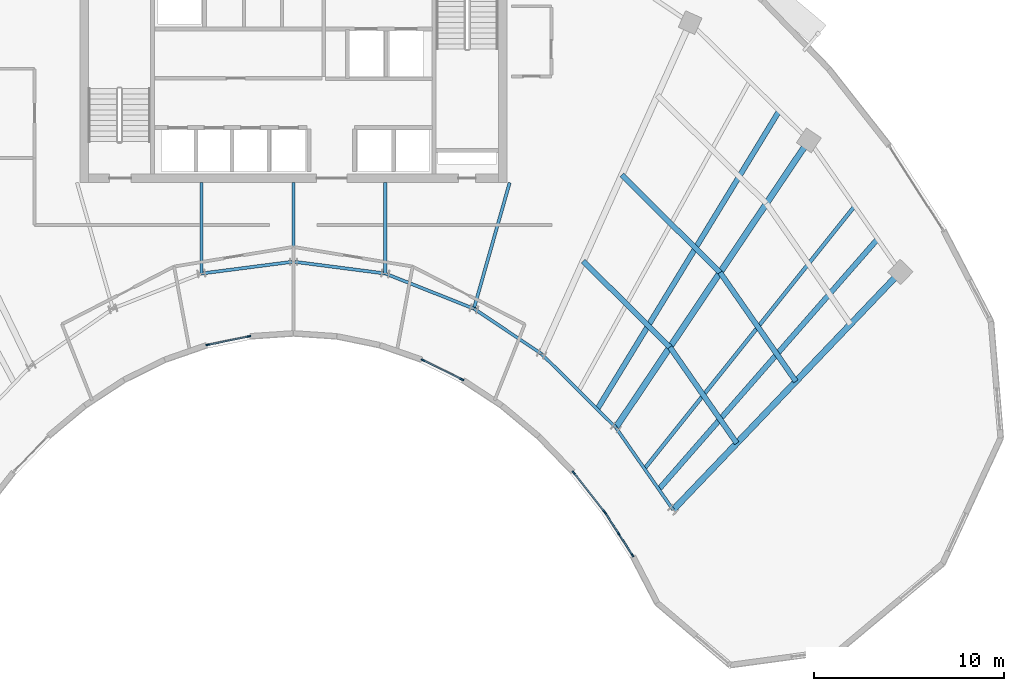
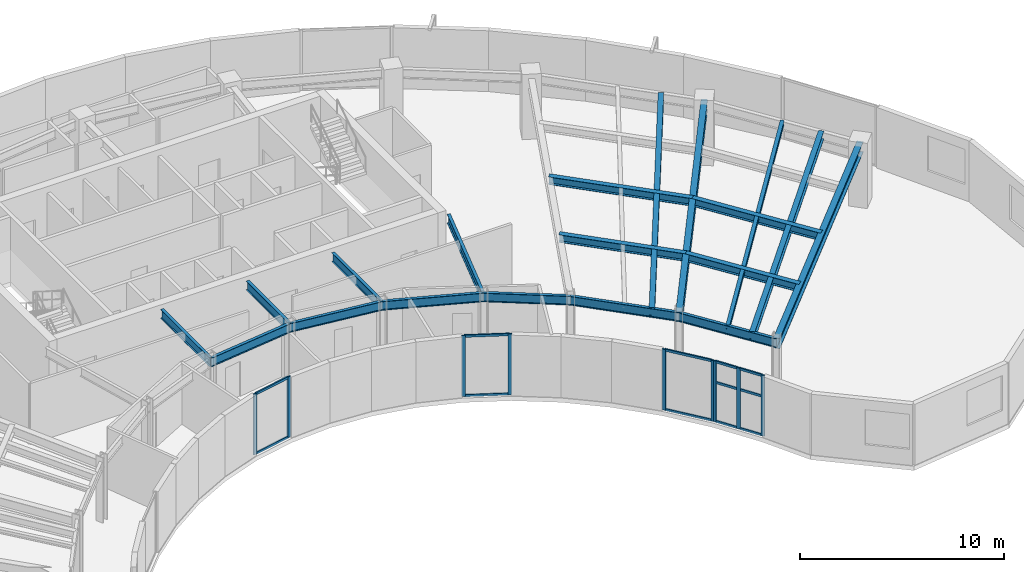
# One storey, part 3 of 14: 21 members, 19 beams, 4 elements without a shape of their own.
"""IFC4 building model written with IfcOpenShell, lengths in metres."""

from ifc_helpers import new_model, si_unit, direction, frame, origin, origin_2d, place, context, subcontext, project, spatial, rectangle, i_section, extrude, source, transform, mapped, material, layer, layer_set, material_profile, profile_set, type_object, type_shapes, element, aggregate, save


model = new_model("IFC4")

# Units and contexts
model_context = context("Model", 3, precision=1e-05, world=origin(), true_north=direction((0.0, 1.0)))
body_context = subcontext(model_context, "Body", "Model", "MODEL_VIEW")
ifc_project = project(units=[si_unit("LENGTHUNIT", "METRE"), si_unit("AREAUNIT", "SQUARE_METRE"), si_unit("VOLUMEUNIT", "CUBIC_METRE"), si_unit("PLANEANGLEUNIT", "RADIAN"), si_unit("MASSUNIT", "GRAM", prefix="KILO")], contexts=[model_context])

# Site, building, storey
site_placement = place(None, origin())
site = spatial("IfcSite", under=ifc_project, at=site_placement, CompositionType="ELEMENT")
building_placement = place(site_placement, origin())
building = spatial("IfcBuilding", under=site, at=building_placement, Name="Breltana Convention Tower", CompositionType="ELEMENT")
storey_placement = place(building_placement, frame((0.0, 0.0, 207.89990234375)))
storey = spatial("IfcBuildingStorey", under=building, at=storey_placement, Name="L50", CompositionType="ELEMENT", Elevation=207.89990234375)

# Beams
ifc_material_1 = material(Name="Steel ASTM A992 Grade 50", Category="steel")
ifc_material_profile_1 = material_profile(ifc_material_1, i_section(OverallWidth=0.280029296875, OverallDepth=0.462890625, WebThickness=0.0107421875, FlangeThickness=0.017333984375, at=origin_2d()), Name="W18X76")
ifc_profile_set_1 = profile_set([ifc_material_profile_1], Name="Steel ASTM A992 Grade 50")
beam_type_1 = type_object("IfcBeamType", Name="BM-JSG-06", PredefinedType="JOIST", material=ifc_profile_set_1)
shared_shape_1 = source(origin(), body_context, "Body", "SweptSolid", [
    extrude(i_section(OverallWidth=0.280029296875, OverallDepth=0.462890625, WebThickness=0.0107421875, FlangeThickness=0.017333984375, at=origin_2d()), origin(), (0.0, 0.0, 1.0), 6.435302734375),
])
beam_1_placement = place(storey_placement, frame((63.27392578125, 56.06298828125, 3.40869140625), z_axis=(0.710116389828, -0.704084308089, 0.0), x_axis=(0.704084308089, 0.710116389828, 0.0)))
element("IfcBeam", 1, at=beam_1_placement, inside=storey, type_object=beam_type_1, Name="L50 Composite Floor Joist 09.1", PredefinedType="JOIST", context=body_context, shape_type="MappedRepresentation", body=[
    mapped(shared_shape_1, transform((0.0, 0.0, 0.0), scale=1.0)),
])
shared_shape_2 = source(origin(), body_context, "Body", "SweptSolid", [
    extrude(i_section(OverallWidth=0.280029296875, OverallDepth=0.462890625, WebThickness=0.0107421875, FlangeThickness=0.017333984375, at=origin_2d()), origin(), (0.0, 0.0, 1.0), 7.29296875),
])
beam_2_placement = place(storey_placement, frame((65.309326171875, 60.602294921875, 3.40869140625), z_axis=(0.710096551013, -0.704104316305, 0.0), x_axis=(0.704104316305, 0.710096551013, 0.0)))
element("IfcBeam", 2, at=beam_2_placement, inside=storey, type_object=beam_type_1, Name="L50 Composite Floor Joist 09.2", PredefinedType="JOIST", context=body_context, shape_type="MappedRepresentation", body=[
    mapped(shared_shape_2, transform((0.0, 0.0, 0.0), scale=1.0)),
])
shared_shape_3 = source(origin(), body_context, "Body", "SweptSolid", [
    extrude(i_section(OverallWidth=0.280029296875, OverallDepth=0.462890625, WebThickness=0.0107421875, FlangeThickness=0.017333984375, at=origin_2d()), origin(), (0.0, 0.0, 1.0), 18.409423828125),
])
beam_3_placement = place(storey_placement, frame((64.017333984375, 48.263916015625, 3.40869140625), z_axis=(0.520682167606, 0.853750596098, 0.0), x_axis=(-0.853750596098, 0.520682167606, 0.0)))
element("IfcBeam", 3, at=beam_3_placement, inside=storey, type_object=beam_type_1, Name="L50 Quarter-Bay Radial Trimmer 09", PredefinedType="JOIST", context=body_context, shape_type="MappedRepresentation", body=[
    mapped(shared_shape_3, transform((0.0, 0.0, 0.0), scale=1.0)),
])
shared_shape_4 = source(origin(), body_context, "Body", "SweptSolid", [
    extrude(i_section(OverallWidth=0.280029296875, OverallDepth=0.462890625, WebThickness=0.0107421875, FlangeThickness=0.017333984375, at=origin_2d()), origin(), (0.0, 0.0, 1.0), 6.172119140625),
])
beam_4_placement = place(storey_placement, frame((67.84375, 51.531982421875, 3.40869140625), z_axis=(0.571211663392, -0.820802799462, 0.0), x_axis=(0.820802799462, 0.571211663392, 0.0)))
element("IfcBeam", 4, at=beam_4_placement, inside=storey, type_object=beam_type_1, Name="L50 Composite Floor Joist 10.1", PredefinedType="JOIST", context=body_context, shape_type="MappedRepresentation", body=[
    mapped(shared_shape_4, transform((0.0, 0.0, 0.0), scale=1.0)),
])
shared_shape_5 = source(origin(), body_context, "Body", "SweptSolid", [
    extrude(i_section(OverallWidth=0.280029296875, OverallDepth=0.462890625, WebThickness=0.0107421875, FlangeThickness=0.017333984375, at=origin_2d()), origin(), (0.0, 0.0, 1.0), 6.99462890625),
])
beam_5_placement = place(storey_placement, frame((70.488037109375, 55.46728515625, 3.40869140625), z_axis=(0.571206630732, -0.820806301759, 0.0), x_axis=(0.820806301759, 0.571206630732, 0.0)))
element("IfcBeam", 5, at=beam_5_placement, inside=storey, type_object=beam_type_1, Name="L50 Composite Floor Joist 10.2", PredefinedType="JOIST", context=body_context, shape_type="MappedRepresentation", body=[
    mapped(shared_shape_5, transform((0.0, 0.0, 0.0), scale=1.0)),
])
ifc_material_profile_2 = material_profile(ifc_material_1, i_section(OverallWidth=0.201904296875, OverallDepth=0.2470703125, WebThickness=0.00732421875, FlangeThickness=0.010986328125, at=origin_2d()), Name="W10X33")
ifc_profile_set_2 = profile_set([ifc_material_profile_2], Name="Steel ASTM A992 Grade 50")
beam_type_2 = type_object("IfcBeamType", Name="BM-JSG-11", PredefinedType="JOIST", material=ifc_profile_set_2)
shared_shape_6 = source(origin(), body_context, "Body", "SweptSolid", [
    extrude(i_section(OverallWidth=0.201904296875, OverallDepth=0.2470703125, WebThickness=0.00732421875, FlangeThickness=0.010986328125, at=origin_2d()), origin(), (0.0, 0.0, 1.0), 17.7236328125),
])
beam_6_placement = place(storey_placement, frame((66.505615234375, 45.124267578125, 3.5166015625), z_axis=(0.624829427563, 0.78076128647, 0.0), x_axis=(-0.78076128647, 0.624829427563, 0.0)))
element("IfcBeam", 6, at=beam_6_placement, inside=storey, type_object=beam_type_2, Name="L50 Mid-Bay Radial Trimmer 10", PredefinedType="JOIST", context=body_context, shape_type="MappedRepresentation", body=[
    mapped(shared_shape_6, transform((0.0, 0.0, 0.0), scale=1.0)),
])
shared_shape_7 = source(origin(), body_context, "Body", "SweptSolid", [
    extrude(i_section(OverallWidth=0.280029296875, OverallDepth=0.462890625, WebThickness=0.0107421875, FlangeThickness=0.017333984375, at=origin_2d()), origin(), (0.0, 0.0, 1.0), 17.515625),
])
beam_7_placement = place(storey_placement, frame((67.260498046875, 44.03955078125, 3.40869140625), z_axis=(0.658051548324, 0.752972881151, 0.0), x_axis=(-0.752972881151, 0.658051548324, 0.0)))
element("IfcBeam", 7, at=beam_7_placement, inside=storey, type_object=beam_type_1, Name="L50 Quarter-Bay Radial Trimmer 10", PredefinedType="JOIST", context=body_context, shape_type="MappedRepresentation", body=[
    mapped(shared_shape_7, transform((0.0, 0.0, 0.0), scale=1.0)),
])
ifc_material_profile_3 = material_profile(ifc_material_1, i_section(OverallWidth=0.166015625, OverallDepth=0.534912109375, WebThickness=0.01025390625, FlangeThickness=0.0166015625, at=origin_2d()), Name="W21X57")
ifc_profile_set_3 = profile_set([ifc_material_profile_3], Name="Steel ASTM A992 Grade 50")
beam_type_3 = type_object("IfcBeamType", Name="BM-BM-W21X57", PredefinedType="BEAM", material=ifc_profile_set_3)
shared_shape_8 = source(origin(), body_context, "Body", "SweptSolid", [
    extrude(i_section(OverallWidth=0.166015625, OverallDepth=0.534912109375, WebThickness=0.01025390625, FlangeThickness=0.0166015625, at=origin_2d()), origin(), (0.0, 0.0, 1.0), 6.904541015625),
])
type_shapes(beam_type_3, [shared_shape_8])
beam_8_placement = place(storey_placement, frame((59.39990234375, 60.199951171875, 3.37255859375), z_axis=(-0.273006781054, -0.962012108811, 0.0), x_axis=(0.962012108811, -0.273006781054, 0.0)))
element("IfcBeam", 8, at=beam_8_placement, inside=storey, type_object=beam_type_3, Name="L50 South Core Tie Girder R08", PredefinedType="BEAM", context=body_context, shape_type="MappedRepresentation", body=[
    mapped(shared_shape_8, transform((0.0, 0.0, 0.0), scale=1.0)),
])
shared_shape_9 = source(origin(), body_context, "Body", "SweptSolid", [
    extrude(i_section(OverallWidth=0.166015625, OverallDepth=0.534912109375, WebThickness=0.01025390625, FlangeThickness=0.0166015625, at=origin_2d()), origin(), (0.0, 0.0, 1.0), 4.789306640625),
])
for number, where, z_axis, x_axis, name in (
    (9, (43.153564453125, 60.199951171875, 3.37255859375), (0.0, -1.0, 0.0), (1.0, 0.0, 0.0), "L50 South Core Tie Girder R05"),
    (10, (52.846435546875, 60.199951171875, 3.37255859375), (0.0, -1.0, 0.0), (1.0, 0.0, 0.0), "L50 South Core Tie Girder R07"),
):
    element("IfcBeam", number, at=place(storey_placement, frame(where, z_axis=z_axis, x_axis=x_axis)), inside=storey, type_object=beam_type_3, Name=name, PredefinedType="BEAM", context=body_context, shape_type="MappedRepresentation", body=[
        mapped(shared_shape_9, transform((0.0, 0.0, 0.0), scale=1.0)),
    ])
shared_shape_10 = source(origin(), body_context, "Body", "SweptSolid", [
    extrude(i_section(OverallWidth=0.166015625, OverallDepth=0.534912109375, WebThickness=0.01025390625, FlangeThickness=0.0166015625, at=origin_2d()), origin(), (0.0, 0.0, 1.0), 4.1640625),
])
beam_9_placement = place(storey_placement, frame((48.0, 60.199951171875, 3.37255859375), z_axis=(0.0, -1.0, 0.0), x_axis=(1.0, 0.0, 0.0)))
element("IfcBeam", 11, at=beam_9_placement, inside=storey, type_object=beam_type_3, Name="L50 South Core Tie Girder R06", PredefinedType="BEAM", context=body_context, shape_type="MappedRepresentation", body=[
    mapped(shared_shape_10, transform((0.0, 0.0, 0.0), scale=1.0)),
])
shared_shape_11 = source(origin(), body_context, "Body", "SweptSolid", [
    extrude(i_section(OverallWidth=0.166015625, OverallDepth=0.534912109375, WebThickness=0.01025390625, FlangeThickness=0.0166015625, at=origin_2d()), origin(), (0.0, 0.0, 1.0), 5.022705078125),
])
beam_10_placement = place(storey_placement, frame((52.846435546875, 55.41064453125, 3.37255859375), z_axis=(0.929458966248, -0.368925507469, 0.0), x_axis=(0.368925507469, 0.929458966248, 0.0)))
element("IfcBeam", 12, at=beam_10_placement, inside=storey, type_object=beam_type_3, Name="L50 Inner Ring Beam 07", PredefinedType="BEAM", context=body_context, shape_type="MappedRepresentation", body=[
    mapped(shared_shape_11, transform((0.0, 0.0, 0.0), scale=1.0)),
])
shared_shape_12 = source(origin(), body_context, "Body", "SweptSolid", [
    extrude(i_section(OverallWidth=0.166015625, OverallDepth=0.534912109375, WebThickness=0.01025390625, FlangeThickness=0.0166015625, at=origin_2d()), origin(), (0.0, 0.0, 1.0), 4.88671875),
])
for number, where, z_axis, x_axis, name in (
    (13, (43.153564453125, 55.41064453125, 3.37255859375), (0.991780525565, 0.127950729231, 0.0), (-0.127950729231, 0.991780525565, 0.0), "L50 Inner Ring Beam 05"),
    (14, (48.0, 56.035888671875, 3.37255859375), (0.991780525565, -0.127950729231, 0.0), (0.127950729231, 0.991780525565, 0.0), "L50 Inner Ring Beam 06"),
):
    element("IfcBeam", number, at=place(storey_placement, frame(where, z_axis=z_axis, x_axis=x_axis)), inside=storey, type_object=beam_type_3, Name=name, PredefinedType="BEAM", context=body_context, shape_type="MappedRepresentation", body=[
        mapped(shared_shape_12, transform((0.0, 0.0, 0.0), scale=1.0)),
    ])
shared_shape_13 = source(origin(), body_context, "Body", "SweptSolid", [
    extrude(i_section(OverallWidth=0.166015625, OverallDepth=0.534912109375, WebThickness=0.01025390625, FlangeThickness=0.0166015625, at=origin_2d()), origin(), (0.0, 0.0, 1.0), 4.2900390625),
])
beam_11_placement = place(storey_placement, frame((57.514892578125, 53.5576171875, 3.37255859375), z_axis=(0.831515827753, -0.555501060482, 0.0), x_axis=(0.555501060482, 0.831515827753, 0.0)))
element("IfcBeam", 15, at=beam_11_placement, inside=storey, type_object=beam_type_3, Name="L50 Inner Ring Beam 08", PredefinedType="BEAM", context=body_context, shape_type="MappedRepresentation", body=[
    mapped(shared_shape_13, transform((0.0, 0.0, 0.0), scale=1.0)),
])
shared_shape_14 = source(origin(), body_context, "Body", "SweptSolid", [
    extrude(i_section(OverallWidth=0.166015625, OverallDepth=0.534912109375, WebThickness=0.01025390625, FlangeThickness=0.0166015625, at=origin_2d()), origin(), (0.0, 0.0, 1.0), 5.51171875),
])
beam_12_placement = place(storey_placement, frame((61.08203125, 51.174560546875, 3.37255859375), z_axis=(0.710090360749, -0.704110559196, 0.0), x_axis=(0.704110559196, 0.710090360749, 0.0)))
element("IfcBeam", 16, at=beam_12_placement, inside=storey, type_object=beam_type_3, Name="L50 Inner Ring Beam 09", PredefinedType="BEAM", context=body_context, shape_type="MappedRepresentation", body=[
    mapped(shared_shape_14, transform((0.0, 0.0, 0.0), scale=1.0)),
])
shared_shape_15 = source(origin(), body_context, "Body", "SweptSolid", [
    extrude(i_section(OverallWidth=0.166015625, OverallDepth=0.534912109375, WebThickness=0.01025390625, FlangeThickness=0.0166015625, at=origin_2d()), origin(), (0.0, 0.0, 1.0), 5.286376953125),
])
beam_13_placement = place(storey_placement, frame((64.995849609375, 47.293701171875, 3.37255859375), z_axis=(0.571194382458, -0.82081482531, 0.0), x_axis=(0.82081482531, 0.571194382458, 0.0)))
element("IfcBeam", 17, at=beam_13_placement, inside=storey, type_object=beam_type_3, Name="L50 Inner Ring Beam 10", PredefinedType="BEAM", context=body_context, shape_type="MappedRepresentation", body=[
    mapped(shared_shape_15, transform((0.0, 0.0, 0.0), scale=1.0)),
])
ifc_material_profile_4 = material_profile(ifc_material_1, i_section(OverallWidth=0.326904296875, OverallDepth=0.6220703125, WebThickness=0.015380859375, FlangeThickness=0.0244140625, at=origin_2d()), Name="W24X131")
ifc_profile_set_4 = profile_set([ifc_material_profile_4], Name="Steel ASTM A992 Grade 50")
beam_type_4 = type_object("IfcBeamType", Name="BM-RG-W24X131", PredefinedType="USERDEFINED", material=ifc_profile_set_4)
shared_shape_16 = source(origin(), body_context, "Body", "SweptSolid", [
    extrude(i_section(OverallWidth=0.326904296875, OverallDepth=0.6220703125, WebThickness=0.015380859375, FlangeThickness=0.0244140625, at=origin_2d()), origin(), (0.0, 0.0, 1.0), 17.341064453125),
])
type_shapes(beam_type_4, [shared_shape_16])
beam_14_placement = place(storey_placement, frame((68.015380859375, 42.95458984375, 3.3291015625), z_axis=(0.690716462293, 0.723125693581, 0.0), x_axis=(-0.723125693581, 0.690716462293, 0.0)))
element("IfcBeam", 18, at=beam_14_placement, inside=storey, type_object=beam_type_4, Name="L50 Radial Floor Girder R11", ObjectType="GIRDER", PredefinedType="USERDEFINED", context=body_context, shape_type="MappedRepresentation", body=[
    mapped(shared_shape_16, transform((0.0, 0.0, 0.0), scale=1.0)),
])
shared_shape_17 = source(origin(), body_context, "Body", "SweptSolid", [
    extrude(i_section(OverallWidth=0.326904296875, OverallDepth=0.6220703125, WebThickness=0.015380859375, FlangeThickness=0.0244140625, at=origin_2d()), origin(), (0.0, 0.0, 1.0), 18.236328125),
])
beam_15_placement = place(storey_placement, frame((64.995849609375, 47.293701171875, 3.3291015625), z_axis=(0.557730360975, 0.830022195153, 0.0), x_axis=(-0.830022195153, 0.557730360975, 0.0)))
element("IfcBeam", 19, at=beam_15_placement, inside=storey, type_object=beam_type_4, Name="L50 Radial Floor Girder R10", ObjectType="GIRDER", PredefinedType="USERDEFINED", context=body_context, shape_type="MappedRepresentation", body=[
    mapped(shared_shape_17, transform((0.0, 0.0, 0.0), scale=1.0)),
])

# Curtain wall, members
ifc_material_2 = material(Name="Aluminium Anodised Bronze Frame", Category="aluminium")
ifc_layer = layer(ifc_material_2, 0.18994140625, Name="Aluminium Anodised Bronze Frame")
ifc_layer_set = layer_set([ifc_layer], Name="Aluminium Anodised Bronze Frame")
curtain_wall_type = type_object("IfcCurtainWallType", Name="CW-SYS-1", PredefinedType="NOTDEFINED", material=ifc_layer_set)
curtain_wall_1_placement = place(storey_placement, origin())
curtain_wall_1 = element("IfcCurtainWall", 20, at=curtain_wall_1_placement, inside=storey, type_object=curtain_wall_type, Name="L50 inner south-court glazing 1", PredefinedType="NOTDEFINED")
ifc_material_3 = material(Name="Aluminium Anodised Bronze", Category="aluminium")
ifc_material_profile_5 = material_profile(ifc_material_3, rectangle(XDim=0.080078125, YDim=0.139892578125, at=origin_2d()), Name="CWT-80X140")
ifc_profile_set_5 = profile_set([ifc_material_profile_5], Name="Aluminium Anodised Bronze")
member_type_1 = type_object("IfcMemberType", Name="CWT-140", PredefinedType="USERDEFINED", material=ifc_profile_set_5)
shared_shape_18 = source(origin(), body_context, "Body", "SweptSolid", [
    extrude(rectangle(XDim=0.080078125, YDim=0.139892578125, at=origin_2d()), origin(), (0.0, 0.0, 1.0), 1.251220703125),
])
member_1_placement = place(storey_placement, frame((65.84716796875, 40.6025390625, 0.0400390625), z_axis=(-0.540116397582, 0.841590326146, 0.0), x_axis=(-0.841590326146, -0.540116397582, 0.0)))
member_1 = element("IfcMember", 21, at=member_1_placement, type_object=member_type_1, Name="CW-01 transom 1.1", ObjectType="TRANSOM", PredefinedType="USERDEFINED", context=body_context, shape_type="MappedRepresentation", body=[
    mapped(shared_shape_18, transform((0.0, 0.0, 0.0), scale=1.0)),
])
member_2_placement = place(storey_placement, frame((65.84716796875, 40.6025390625, 2.3662109375), z_axis=(-0.540116397582, 0.841590326146, 0.0), x_axis=(-0.841590326146, -0.540116397582, 0.0)))
member_2 = element("IfcMember", 22, at=member_2_placement, type_object=member_type_1, Name="CW-01 transom 1.2", ObjectType="TRANSOM", PredefinedType="USERDEFINED", context=body_context, shape_type="MappedRepresentation", body=[
    mapped(shared_shape_18, transform((0.0, 0.0, 0.0), scale=1.0)),
])
member_3_placement = place(storey_placement, frame((65.84716796875, 40.6025390625, 3.60009765625), z_axis=(-0.540116397582, 0.841590326146, 0.0), x_axis=(-0.841590326146, -0.540116397582, 0.0)))
member_3 = element("IfcMember", 23, at=member_3_placement, type_object=member_type_1, Name="CW-01 transom 1.3", ObjectType="TRANSOM", PredefinedType="USERDEFINED", context=body_context, shape_type="MappedRepresentation", body=[
    mapped(shared_shape_18, transform((0.0, 0.0, 0.0), scale=1.0)),
])
shared_shape_19 = source(origin(), body_context, "Body", "SweptSolid", [
    extrude(rectangle(XDim=0.080078125, YDim=0.139892578125, at=origin_2d()), origin(), (0.0, 0.0, 1.0), 1.2509765625),
])
member_4_placement = place(storey_placement, frame((65.128173828125, 41.722900390625, 0.0400390625), z_axis=(-0.54020510624, 0.841533388044, 0.0), x_axis=(-0.841533388044, -0.54020510624, 0.0)))
member_4 = element("IfcMember", 24, at=member_4_placement, type_object=member_type_1, Name="CW-01 transom 2.1", ObjectType="TRANSOM", PredefinedType="USERDEFINED", context=body_context, shape_type="MappedRepresentation", body=[
    mapped(shared_shape_19, transform((0.0, 0.0, 0.0), scale=1.0)),
])
member_5_placement = place(storey_placement, frame((65.128173828125, 41.722900390625, 2.3662109375), z_axis=(-0.54020510624, 0.841533388044, 0.0), x_axis=(-0.841533388044, -0.54020510624, 0.0)))
member_5 = element("IfcMember", 25, at=member_5_placement, type_object=member_type_1, Name="CW-01 transom 2.2", ObjectType="TRANSOM", PredefinedType="USERDEFINED", context=body_context, shape_type="MappedRepresentation", body=[
    mapped(shared_shape_19, transform((0.0, 0.0, 0.0), scale=1.0)),
])
member_6_placement = place(storey_placement, frame((65.128173828125, 41.722900390625, 3.60009765625), z_axis=(-0.54020510624, 0.841533388044, 0.0), x_axis=(-0.841533388044, -0.54020510624, 0.0)))
member_6 = element("IfcMember", 26, at=member_6_placement, type_object=member_type_1, Name="CW-01 transom 2.3", ObjectType="TRANSOM", PredefinedType="USERDEFINED", context=body_context, shape_type="MappedRepresentation", body=[
    mapped(shared_shape_19, transform((0.0, 0.0, 0.0), scale=1.0)),
])

curtain_wall_2_placement = place(storey_placement, origin())
curtain_wall_2 = element("IfcCurtainWall", 27, at=curtain_wall_2_placement, inside=storey, type_object=curtain_wall_type, Name="L50 inner south-court glazing 2", PredefinedType="NOTDEFINED")
shared_shape_20 = source(origin(), body_context, "Body", "SweptSolid", [
    extrude(rectangle(XDim=0.080078125, YDim=0.139892578125, at=origin_2d()), origin(), (0.0, 0.0, 1.0), 2.505859375),
])
member_7_placement = place(storey_placement, frame((64.349853515625, 42.919921875, 0.0400390625), z_axis=(-0.618174316854, 0.786041038357, 0.0), x_axis=(-0.786041038357, -0.618174316854, 0.0)))
member_7 = element("IfcMember", 28, at=member_7_placement, type_object=member_type_1, Name="CW-01 transom 1.1", ObjectType="TRANSOM", PredefinedType="USERDEFINED", context=body_context, shape_type="MappedRepresentation", body=[
    mapped(shared_shape_20, transform((0.0, 0.0, 0.0), scale=1.0)),
])
member_8_placement = place(storey_placement, frame((64.349853515625, 42.919921875, 3.60009765625), z_axis=(-0.618174316854, 0.786041038357, 0.0), x_axis=(-0.786041038357, -0.618174316854, 0.0)))
member_8 = element("IfcMember", 29, at=member_8_placement, type_object=member_type_1, Name="CW-01 transom 1.2", ObjectType="TRANSOM", PredefinedType="USERDEFINED", context=body_context, shape_type="MappedRepresentation", body=[
    mapped(shared_shape_20, transform((0.0, 0.0, 0.0), scale=1.0)),
])

curtain_wall_3_placement = place(storey_placement, origin())
curtain_wall_3 = element("IfcCurtainWall", 30, at=curtain_wall_3_placement, inside=storey, type_object=curtain_wall_type, Name="L50 inner south-court glazing 3", PredefinedType="NOTDEFINED")
shared_shape_21 = source(origin(), body_context, "Body", "SweptSolid", [
    extrude(rectangle(XDim=0.080078125, YDim=0.139892578125, at=origin_2d()), origin(), (0.0, 0.0, 1.0), 2.218017578125),
])
member_9_placement = place(storey_placement, frame((56.852294921875, 49.84716796875, 0.0400390625), z_axis=(-0.895962849302, 0.444129004537, 0.0), x_axis=(-0.444129004537, -0.895962849302, 0.0)))
member_9 = element("IfcMember", 31, at=member_9_placement, type_object=member_type_1, Name="CW-01 transom 1.1", ObjectType="TRANSOM", PredefinedType="USERDEFINED", context=body_context, shape_type="MappedRepresentation", body=[
    mapped(shared_shape_21, transform((0.0, 0.0, 0.0), scale=1.0)),
])
member_10_placement = place(storey_placement, frame((56.852294921875, 49.84716796875, 3.60009765625), z_axis=(-0.895962849302, 0.444129004537, 0.0), x_axis=(-0.444129004537, -0.895962849302, 0.0)))
member_10 = element("IfcMember", 32, at=member_10_placement, type_object=member_type_1, Name="CW-01 transom 1.2", ObjectType="TRANSOM", PredefinedType="USERDEFINED", context=body_context, shape_type="MappedRepresentation", body=[
    mapped(shared_shape_21, transform((0.0, 0.0, 0.0), scale=1.0)),
])

curtain_wall_4_placement = place(storey_placement, origin())
curtain_wall_4 = element("IfcCurtainWall", 33, at=curtain_wall_4_placement, inside=storey, type_object=curtain_wall_type, Name="L50 inner south-court glazing 4", PredefinedType="NOTDEFINED")
shared_shape_22 = source(origin(), body_context, "Body", "SweptSolid", [
    extrude(rectangle(XDim=0.080078125, YDim=0.139892578125, at=origin_2d()), origin(), (0.0, 0.0, 1.0), 2.132080078125),
])
member_11_placement = place(storey_placement, frame((45.61669921875, 52.089111328125, 0.0400390625), z_axis=(-0.97962234667, -0.200848345536, 0.0), x_axis=(0.200848345536, -0.97962234667, 0.0)))
member_11 = element("IfcMember", 34, at=member_11_placement, type_object=member_type_1, Name="CW-01 transom 1.1", ObjectType="TRANSOM", PredefinedType="USERDEFINED", context=body_context, shape_type="MappedRepresentation", body=[
    mapped(shared_shape_22, transform((0.0, 0.0, 0.0), scale=1.0)),
])
member_12_placement = place(storey_placement, frame((45.61669921875, 52.089111328125, 3.60009765625), z_axis=(-0.97962234667, -0.200848345536, 0.0), x_axis=(0.200848345536, -0.97962234667, 0.0)))
member_12 = element("IfcMember", 35, at=member_12_placement, type_object=member_type_1, Name="CW-01 transom 1.2", ObjectType="TRANSOM", PredefinedType="USERDEFINED", context=body_context, shape_type="MappedRepresentation", body=[
    mapped(shared_shape_22, transform((0.0, 0.0, 0.0), scale=1.0)),
])

# Member
ifc_material_profile_6 = material_profile(ifc_material_3, rectangle(XDim=0.080078125, YDim=0.199951171875, at=origin_2d()), Name="CWM-80X200")
ifc_profile_set_6 = profile_set([ifc_material_profile_6], Name="Aluminium Anodised Bronze")
member_type_2 = type_object("IfcMemberType", Name="CWM-200", PredefinedType="MULLION", material=ifc_profile_set_6)
shared_shape_23 = source(origin(), body_context, "Body", "SweptSolid", [
    extrude(rectangle(XDim=0.080078125, YDim=0.199951171875, at=origin_2d()), origin(), (0.0, 0.0, 1.0), 3.64013671875),
])
member_13_placement = place(storey_placement, frame((65.868896484375, 40.56884765625, 0.0), z_axis=(0.0, 0.0, 1.0), x_axis=(-0.841546766968, -0.540184263938, 0.0)))
member_13 = element("IfcMember", 36, at=member_13_placement, type_object=member_type_2, Name="CW-01 mullion 1", PredefinedType="MULLION", context=body_context, shape_type="MappedRepresentation", body=[
    mapped(shared_shape_23, transform((0.0, 0.0, 0.0), scale=1.0)),
])

member_14_placement = place(storey_placement, frame((65.14990234375, 41.689208984375, 0.0), z_axis=(0.0, 0.0, 1.0), x_axis=(-0.841546766968, -0.540184263938, 0.0)))
member_14 = element("IfcMember", 37, at=member_14_placement, type_object=member_type_2, Name="CW-01 mullion 2", PredefinedType="MULLION", context=body_context, shape_type="MappedRepresentation", body=[
    mapped(shared_shape_23, transform((0.0, 0.0, 0.0), scale=1.0)),
])

member_15_placement = place(storey_placement, frame((64.430908203125, 42.809326171875, 0.0), z_axis=(0.0, 0.0, 1.0), x_axis=(-0.841546766968, -0.540184263938, 0.0)))
member_15 = element("IfcMember", 38, at=member_15_placement, type_object=member_type_2, Name="CW-01 mullion 3", PredefinedType="MULLION", context=body_context, shape_type="MappedRepresentation", body=[
    mapped(shared_shape_23, transform((0.0, 0.0, 0.0), scale=1.0)),
])

aggregate(curtain_wall_1, [member_13, member_14, member_15, member_1, member_2, member_3, member_4, member_5, member_6])

member_16_placement = place(storey_placement, frame((64.37451171875, 42.888427734375, 0.0), z_axis=(0.0, 0.0, 1.0), x_axis=(-0.786060526937, -0.6181495353, 0.0)))
member_16 = element("IfcMember", 39, at=member_16_placement, type_object=member_type_2, Name="CW-01 mullion 1", PredefinedType="MULLION", context=body_context, shape_type="MappedRepresentation", body=[
    mapped(shared_shape_23, transform((0.0, 0.0, 0.0), scale=1.0)),
])

member_17_placement = place(storey_placement, frame((62.776123046875, 44.921142578125, 0.0), z_axis=(0.0, 0.0, 1.0), x_axis=(-0.786060526937, -0.6181495353, 0.0)))
member_17 = element("IfcMember", 40, at=member_17_placement, type_object=member_type_2, Name="CW-01 mullion 2", PredefinedType="MULLION", context=body_context, shape_type="MappedRepresentation", body=[
    mapped(shared_shape_23, transform((0.0, 0.0, 0.0), scale=1.0)),
])

aggregate(curtain_wall_2, [member_16, member_17, member_7, member_8])

member_18_placement = place(storey_placement, frame((56.88818359375, 49.829345703125, 0.0), z_axis=(0.0, 0.0, 1.0), x_axis=(-0.444132591932, -0.89596107102, 0.0)))
member_18 = element("IfcMember", 41, at=member_18_placement, type_object=member_type_2, Name="CW-01 mullion 1", PredefinedType="MULLION", context=body_context, shape_type="MappedRepresentation", body=[
    mapped(shared_shape_23, transform((0.0, 0.0, 0.0), scale=1.0)),
])

member_19_placement = place(storey_placement, frame((54.829345703125, 50.849853515625, 0.0), z_axis=(0.0, 0.0, 1.0), x_axis=(-0.444132591932, -0.89596107102, 0.0)))
member_19 = element("IfcMember", 42, at=member_19_placement, type_object=member_type_2, Name="CW-01 mullion 2", PredefinedType="MULLION", context=body_context, shape_type="MappedRepresentation", body=[
    mapped(shared_shape_23, transform((0.0, 0.0, 0.0), scale=1.0)),
])

aggregate(curtain_wall_3, [member_18, member_19, member_9, member_10])

member_20_placement = place(storey_placement, frame((45.656005859375, 52.09716796875, 0.0), z_axis=(0.0, 0.0, 1.0), x_axis=(0.200853973352, -0.979621192803, 0.0)))
member_20 = element("IfcMember", 43, at=member_20_placement, type_object=member_type_2, Name="CW-01 mullion 1", PredefinedType="MULLION", context=body_context, shape_type="MappedRepresentation", body=[
    mapped(shared_shape_23, transform((0.0, 0.0, 0.0), scale=1.0)),
])

member_21_placement = place(storey_placement, frame((43.48876953125, 51.65283203125, 0.0), z_axis=(0.0, 0.0, 1.0), x_axis=(0.200853973352, -0.979621192803, 0.0)))
member_21 = element("IfcMember", 44, at=member_21_placement, type_object=member_type_2, Name="CW-01 mullion 2", PredefinedType="MULLION", context=body_context, shape_type="MappedRepresentation", body=[
    mapped(shared_shape_23, transform((0.0, 0.0, 0.0), scale=1.0)),
])

aggregate(curtain_wall_4, [member_20, member_21, member_11, member_12])

save(model, "model.ifc")
